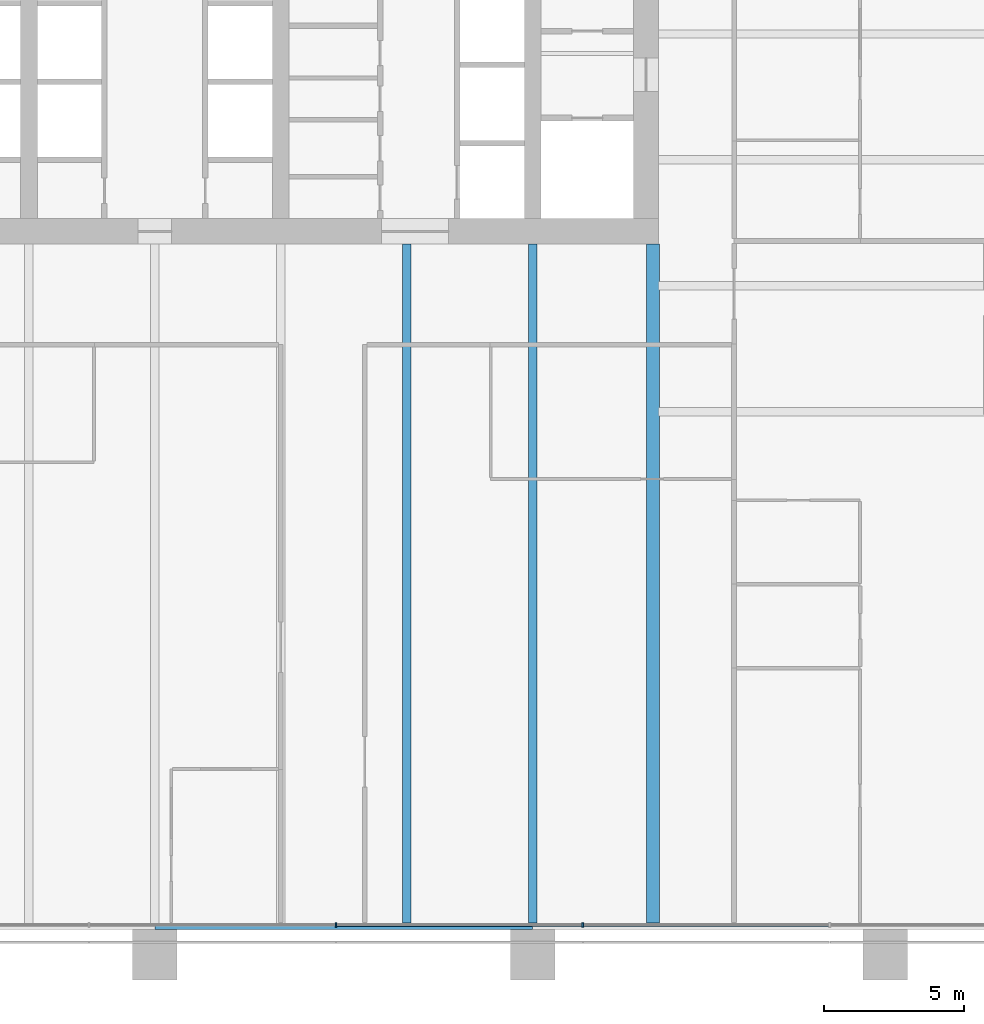
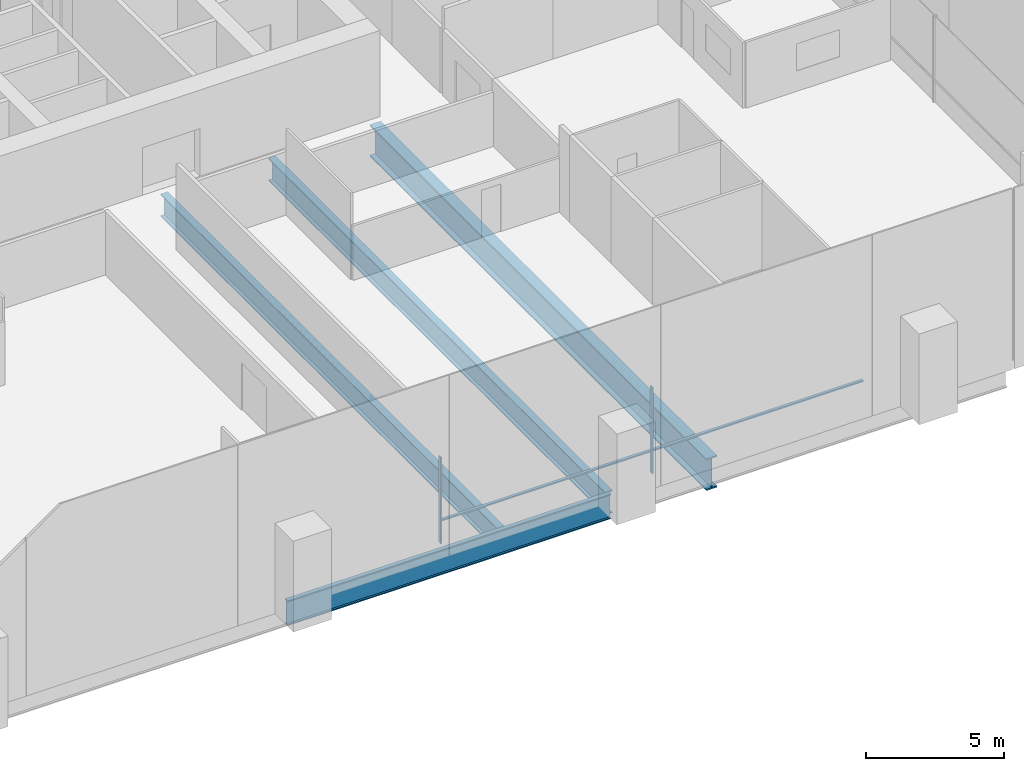
# One storey, part 5 of 19: 4 beams, 4 members, 1 element without a shape of its own.
"""IFC4 building model written with IfcOpenShell, lengths in metres."""

from ifc_helpers import new_model, si_unit, direction, frame, origin, origin_2d, place, context, subcontext, project, spatial, rectangle, i_section, extrude, material, material_profile, profile_set, type_object, element, aggregate, save


model = new_model("IFC4")

# Units and contexts
model_context = context("Model", 3, precision=1e-05, world=origin(), true_north=direction((0.0, 1.0)))
body_context = subcontext(model_context, "Body", "Model", "MODEL_VIEW")
ifc_project = project(units=[si_unit("LENGTHUNIT", "METRE"), si_unit("AREAUNIT", "SQUARE_METRE"), si_unit("VOLUMEUNIT", "CUBIC_METRE"), si_unit("PLANEANGLEUNIT", "RADIAN"), si_unit("MASSUNIT", "GRAM", prefix="KILO")], contexts=[model_context])

# Site, building, storey
site_placement = place(None, origin())
site = spatial("IfcSite", under=ifc_project, at=site_placement, CompositionType="ELEMENT")
building_placement = place(site_placement, origin())
building = spatial("IfcBuilding", under=site, at=building_placement, Name="Rattan Terrace Tower", CompositionType="ELEMENT")
storey_placement = place(building_placement, frame((0.0, 0.0, 91.699951171875)))
storey = spatial("IfcBuildingStorey", under=building, at=storey_placement, Name="L20", CompositionType="ELEMENT", Elevation=91.699951171875)

# Curtain wall, members
ifc_material_1 = material(Name="Aluminium and glass", Category="aluminium")
curtain_wall_type = type_object("IfcCurtainWallType", Name="Facade Unitised Curtain Wall", PredefinedType="NOTDEFINED", material=ifc_material_1)
curtain_wall_placement = place(storey_placement, origin())
curtain_wall = element("IfcCurtainWall", 1, at=curtain_wall_placement, inside=storey, type_object=curtain_wall_type, Name="Curtain wall L20-4", PredefinedType="NOTDEFINED")
ifc_material_2 = material(Name="Aluminium", Category="aluminium")
ifc_material_profile_1 = material_profile(ifc_material_2, rectangle(XDim=0.06005859375, YDim=0.159912109375, at=origin_2d()), Name="Aluminium 60x160")
ifc_profile_set_1 = profile_set([ifc_material_profile_1], Name="Aluminium")
member_type_1 = type_object("IfcMemberType", Name="Facade CW Mullion 60x160", PredefinedType="MULLION", material=ifc_profile_set_1)
member_1_placement = place(storey_placement, frame((6.468994140625, -31.830078125, 0.0), z_axis=(0.0, 0.0, 1.0), x_axis=(1.0, 0.0, 0.0)))
member_1 = element("IfcMember", 2, at=member_1_placement, type_object=member_type_1, Name="Mullion cwl-L20-004.4", PredefinedType="MULLION", context=body_context, shape_type="SweptSolid", body=[
    extrude(rectangle(XDim=0.06005859375, YDim=0.159912109375, at=origin_2d()), origin(), (0.0, 0.0, 1.0), 3.800048828125),
])
member_2_placement = place(storey_placement, frame((15.2919921875, -31.830078125, 0.0), z_axis=(0.0, 0.0, 1.0), x_axis=(1.0, 0.0, 0.0)))
member_2 = element("IfcMember", 3, at=member_2_placement, type_object=member_type_1, Name="Mullion cwl-L20-004.5", PredefinedType="MULLION", context=body_context, shape_type="SweptSolid", body=[
    extrude(rectangle(XDim=0.06005859375, YDim=0.159912109375, at=origin_2d()), origin(), (0.0, 0.0, 1.0), 3.800048828125),
])
ifc_material_3 = material(Name="Aluminium", Category="aluminium")
ifc_material_profile_2 = material_profile(ifc_material_3, rectangle(XDim=0.1201171875, YDim=0.06005859375, at=origin_2d()), Name="Aluminium 120x60")
ifc_profile_set_2 = profile_set([ifc_material_profile_2], Name="Aluminium")
member_type_2 = type_object("IfcMemberType", Name="Facade CW Transom 120x60", PredefinedType="USERDEFINED", material=ifc_profile_set_2)
member_3_placement = place(storey_placement, frame((6.4990234375, -31.830078125, 1.0), z_axis=(1.0, 0.0, 0.0), x_axis=(0.0, 1.0, 0.0)))
member_3 = element("IfcMember", 4, at=member_3_placement, type_object=member_type_2, Name="Transom cwl-L20-004.4", ObjectType="TRANSOM", PredefinedType="USERDEFINED", context=body_context, shape_type="SweptSolid", body=[
    extrude(rectangle(XDim=0.1201171875, YDim=0.06005859375, at=origin_2d()), origin(), (0.0, 0.0, 1.0), 8.762939453125),
])
member_4_placement = place(storey_placement, frame((15.322021484375, -31.830078125, 1.0), z_axis=(1.0, 0.0, 0.0), x_axis=(0.0, 1.0, 0.0)))
member_4 = element("IfcMember", 5, at=member_4_placement, type_object=member_type_2, Name="Transom cwl-L20-004.5", ObjectType="TRANSOM", PredefinedType="USERDEFINED", context=body_context, shape_type="SweptSolid", body=[
    extrude(rectangle(XDim=0.1201171875, YDim=0.06005859375, at=origin_2d()), origin(), (0.0, 0.0, 1.0), 8.762939453125),
])
aggregate(curtain_wall, [member_1, member_2, member_3, member_4])

# Beams
ifc_material_4 = material(Name="Steel S460", Category="steel")
ifc_material_profile_3 = material_profile(ifc_material_4, i_section(OverallWidth=0.449951171875, OverallDepth=1.39990234375, WebThickness=0.02197265625, FlangeThickness=0.054931640625, at=origin_2d()), Name="PG 1400x450-22-55")
ifc_profile_set_3 = profile_set([ifc_material_profile_3], Name="Steel S460")
beam_type_1 = type_object("IfcBeamType", Name="Frame core girder PG 1400x450-22-55", PredefinedType="BEAM", material=ifc_profile_set_3)
beam_1_placement = place(storey_placement, frame((17.800048828125, -31.820068359375, -0.89990234375), z_axis=(0.0, 1.0, 0.0), x_axis=(-1.0, 0.0, 0.0)))
element("IfcBeam", 6, at=beam_1_placement, inside=storey, type_object=beam_type_1, Name="gdr-L20-009", PredefinedType="BEAM", context=body_context, shape_type="SweptSolid", body=[
    extrude(i_section(OverallWidth=0.449951171875, OverallDepth=1.39990234375, WebThickness=0.02197265625, FlangeThickness=0.054931640625, at=origin_2d()), origin(), (0.0, 0.0, 1.0), 24.320068359375),
])
ifc_material_5 = material(Name="Steel S460", Category="steel")
ifc_material_profile_4 = material_profile(ifc_material_5, i_section(OverallWidth=0.179931640625, OverallDepth=1.10009765625, WebThickness=0.01611328125, FlangeThickness=0.050048828125, at=origin_2d()), Name="PG 1100x180-16-50")
ifc_profile_set_4 = profile_set([ifc_material_profile_4], Name="Steel S460")
beam_type_2 = type_object("IfcBeamType", Name="Frame edge girder PG 1100x180-16-50", PredefinedType="SPANDREL", material=ifc_profile_set_4)
beam_2_placement = place(storey_placement, frame((0.0, -31.909912109375, -0.75), z_axis=(1.0, 0.0, 0.0), x_axis=(0.0, 1.0, 0.0)))
element("IfcBeam", 7, at=beam_2_placement, inside=storey, type_object=beam_type_2, Name="gdr-L20-002", PredefinedType="SPANDREL", context=body_context, shape_type="SweptSolid", body=[
    extrude(i_section(OverallWidth=0.179931640625, OverallDepth=1.10009765625, WebThickness=0.01611328125, FlangeThickness=0.050048828125, at=origin_2d()), origin(), (0.0, 0.0, 1.0), 13.5),
])
ifc_material_6 = material(Name="Steel S460", Category="steel")
ifc_material_profile_5 = material_profile(ifc_material_6, i_section(OverallWidth=0.300048828125, OverallDepth=1.0, WebThickness=0.013916015625, FlangeThickness=0.0400390625, at=origin_2d()), Name="PG 1000x300-14-40")
ifc_profile_set_5 = profile_set([ifc_material_profile_5], Name="Steel S460")
beam_type_3 = type_object("IfcBeamType", Name="Frame floor beam PG 1000x300-14-40", PredefinedType="JOIST", material=ifc_profile_set_5)
for number, where, z_axis, x_axis, name in (
    (8, (9.0, -31.820068359375, -0.699951171875), (0.0, 1.0, 0.0), (-1.0, 0.0, 0.0), "bm-L20-008"),
    (9, (13.5, -31.820068359375, -0.699951171875), (0.0, 1.0, 0.0), (-1.0, 0.0, 0.0), "bm-L20-009"),
):
    element("IfcBeam", number, at=place(storey_placement, frame(where, z_axis=z_axis, x_axis=x_axis)), inside=storey, type_object=beam_type_3, Name=name, PredefinedType="JOIST", context=body_context, shape_type="SweptSolid", body=[
        extrude(i_section(OverallWidth=0.300048828125, OverallDepth=1.0, WebThickness=0.013916015625, FlangeThickness=0.0400390625, at=origin_2d()), origin(), (0.0, 0.0, 1.0), 24.320068359375),
    ])

save(model, "model.ifc")
